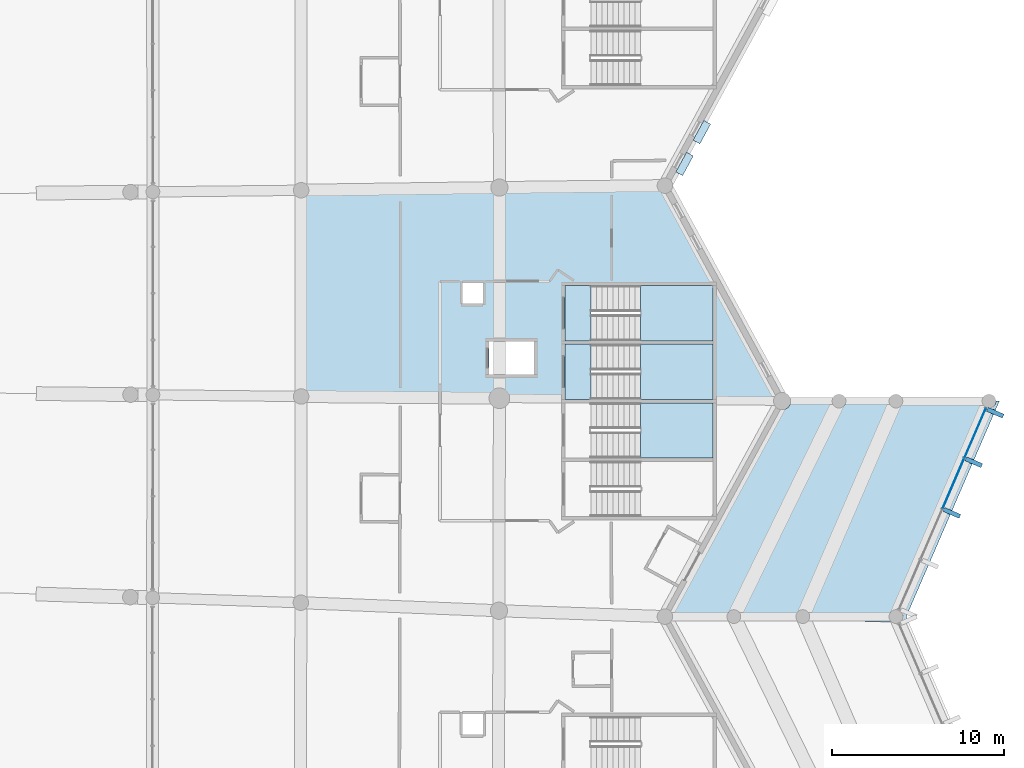
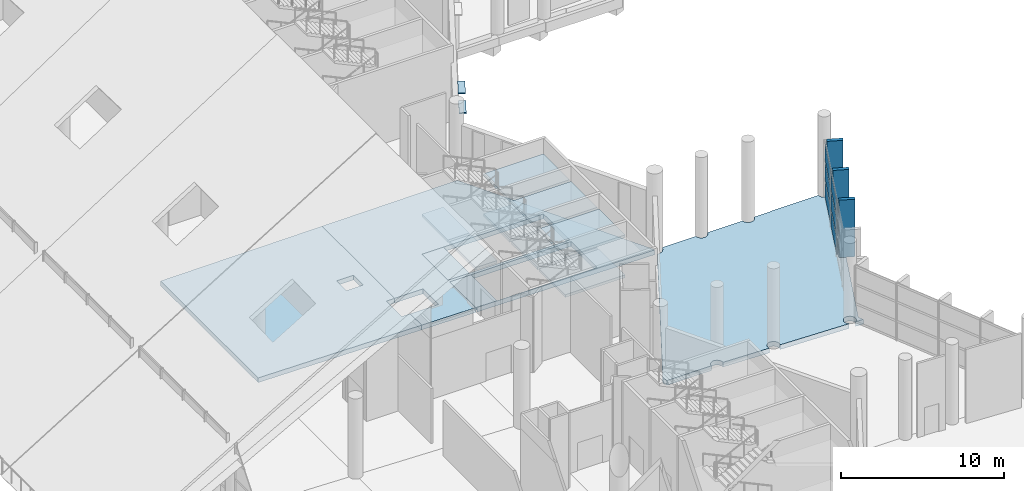
# One storey, part 116 of 249: 13 slabs, 11 plates, 4 elements without a shape of their own.
"""IFC4 building model written with IfcOpenShell, lengths in metres."""

from ifc_helpers import new_model, si_unit, direction, frame, origin, origin_2d, place, context, subcontext, project, spatial, polyline, rectangle, outline, extrude, material, layer, layer_set, type_object, element, aggregate, save


model = new_model("IFC4")

# Units and contexts
model_context = context("Model", 3, precision=1e-05, world=origin(), true_north=direction((0.0, 1.0)))
body_context = subcontext(model_context, "Body", "Model", "MODEL_VIEW")
ifc_project = project(units=[si_unit("LENGTHUNIT", "METRE"), si_unit("AREAUNIT", "SQUARE_METRE"), si_unit("VOLUMEUNIT", "CUBIC_METRE"), si_unit("PLANEANGLEUNIT", "RADIAN"), si_unit("MASSUNIT", "GRAM", prefix="KILO")], contexts=[model_context])

# Site, building, storey
site_placement = place(None, origin())
site = spatial("IfcSite", under=ifc_project, at=site_placement, CompositionType="ELEMENT")
building_placement = place(site_placement, origin())
building = spatial("IfcBuilding", under=site, at=building_placement, Name="Meseta Stadium", CompositionType="ELEMENT")
storey_placement = place(building_placement, frame((0.0, 0.0, 12.0)))
storey = spatial("IfcBuildingStorey", under=building, at=storey_placement, Name="L02", CompositionType="ELEMENT", Elevation=12.0)

# Slabs
ifc_material_1 = material(Name="Concrete C40/50", Category="concrete")
ifc_layer_1 = layer(ifc_material_1, 0.35009765625)
ifc_layer_set_1 = layer_set([ifc_layer_1], Name="Floor slab 350")
slab_type_1 = type_object("IfcSlabType", Name="Floor slab 350", PredefinedType="FLOOR", material=ifc_layer_set_1)
slab_1_placement = place(storey_placement, frame((0.0, 0.0, -0.35009765625)))
element("IfcSlab", 1, at=slab_1_placement, inside=storey, type_object=slab_type_1, Name="Floor slab L02 sector 00 panel 12", PredefinedType="FLOOR", context=body_context, shape_type="SweptSolid", body=[
    extrude(outline(polyline([(84.99755859375, -6.107421875), (84.99755859375, -4.699951171875), (84.39990234375, -4.699951171875), (84.39990234375, -2.800048828125), (84.997314453125, -2.800048828125), (84.9970703125, 6.107421875), (73.498046875, 5.981201171875), (73.498046875, -5.981201171875), (84.99755859375, -6.107421875)]), holes=[polyline([(82.85009765625, 0.60009765625), (84.050048828125, 0.60009765625), (84.050048828125, -0.60009765625), (82.85009765625, -0.60009765625), (82.85009765625, 0.60009765625)])]), origin(), (0.0, 0.0, 1.0), 0.35009765625),
])
slab_2_placement = place(storey_placement, frame((0.0, 0.0, -0.35009765625)))
element("IfcSlab", 2, at=slab_2_placement, inside=storey, type_object=slab_type_1, Name="Floor slab L02 sector 00 panel 21", PredefinedType="FLOOR", context=body_context, shape_type="SweptSolid", body=[
    extrude(outline(polyline([(88.8798828125, -6.14990234375), (101.3798828125, -6.287109375), (101.39990234375, -6.25), (94.6201171875, 6.212890625), (84.9970703125, 6.107421875), (84.997314453125, -2.800048828125), (87.0, -2.800048828125), (87.0, -4.699951171875), (84.99755859375, -4.699951171875), (84.99755859375, -6.107421875), (88.800048828125, -6.149169921875), (88.800048828125, -2.949951171875), (97.39990234375, -2.949951171875), (97.39990234375, -6.14990234375), (88.8798828125, -6.14990234375)]), holes=[polyline([(97.39990234375, -2.75), (88.800048828125, -2.75), (88.800048828125, 0.449951171875), (97.39990234375, 0.449951171875), (97.39990234375, -2.75)])]), origin(), (0.0, 0.0, 1.0), 0.35009765625),
])
slab_3_placement = place(storey_placement, frame((0.0, 0.0, -0.35009765625)))
element("IfcSlab", 3, at=slab_3_placement, inside=storey, type_object=slab_type_1, Name="Ring floor slab L02 8 part 2 panel 03", PredefinedType="FLOOR", context=body_context, shape_type="SweptSolid", body=[
    extrude(outline(polyline([(112.99658203125, -6.25), (109.60009765625, -6.25), (109.593994140625, -6.29150390625), (108.39794921875, -6.29150390625), (108.3896484375, -6.3544921875), (108.3857421875, -6.364013671875), (108.349365234375, -6.45166015625), (108.285400390625, -6.535400390625), (108.20166015625, -6.599365234375), (108.1044921875, -6.6396484375), (108.0, -6.653564453125), (107.8955078125, -6.6396484375), (107.79833984375, -6.599365234375), (107.714599609375, -6.535400390625), (107.650634765625, -6.45166015625), (107.610595703125, -6.35546875), (107.60205078125, -6.29150390625), (105.097900390625, -6.29150390625), (105.089599609375, -6.3544921875), (105.04931640625, -6.45166015625), (104.9853515625, -6.535400390625), (104.901611328125, -6.599365234375), (104.804443359375, -6.6396484375), (104.699951171875, -6.653564453125), (104.595703125, -6.6396484375), (104.498291015625, -6.599365234375), (104.414794921875, -6.535400390625), (104.3505859375, -6.45166015625), (104.310302734375, -6.3544921875), (104.302001953125, -6.29150390625), (101.898681640625, -6.29150390625), (101.88720703125, -6.380615234375), (101.836669921875, -6.502197265625), (101.756591796875, -6.606689453125), (101.652099609375, -6.686767578125), (101.530517578125, -6.737060546875), (101.39990234375, -6.75439453125), (101.30322265625, -6.74169921875), (94.935302734375, -18.44775390625), (94.9931640625, -18.523193359375), (95.038330078125, -18.632568359375), (95.053955078125, -18.75), (98.196533203125, -18.75), (98.210205078125, -18.6455078125), (98.25048828125, -18.54833984375), (98.314697265625, -18.464599609375), (98.398193359375, -18.400634765625), (98.49560546875, -18.3603515625), (98.60009765625, -18.346435546875), (98.704345703125, -18.3603515625), (98.8017578125, -18.400634765625), (98.88525390625, -18.464599609375), (98.949462890625, -18.54833984375), (98.98974609375, -18.6455078125), (99.00341796875, -18.75), (98.999267578125, -18.782958984375), (102.224609375, -18.888916015625), (102.210205078125, -18.8544921875), (102.196533203125, -18.75), (102.210205078125, -18.6455078125), (102.25048828125, -18.54833984375), (102.314697265625, -18.464599609375), (102.398193359375, -18.400634765625), (102.49560546875, -18.3603515625), (102.60009765625, -18.346435546875), (102.704345703125, -18.3603515625), (102.8017578125, -18.400634765625), (102.88525390625, -18.464599609375), (102.949462890625, -18.54833984375), (102.98974609375, -18.6455078125), (103.00341796875, -18.75), (102.98974609375, -18.8544921875), (102.96533203125, -18.913330078125), (107.761474609375, -19.071044921875), (107.714599609375, -19.035400390625), (107.650634765625, -18.95166015625), (107.6103515625, -18.8544921875), (107.596435546875, -18.75), (107.6103515625, -18.6455078125), (107.650634765625, -18.54833984375), (107.714599609375, -18.464599609375), (107.79833984375, -18.400634765625), (107.8955078125, -18.3603515625), (108.0, -18.346435546875), (108.1044921875, -18.3603515625), (108.20166015625, -18.400634765625), (108.285400390625, -18.464599609375), (108.349365234375, -18.54833984375), (108.3896484375, -18.6455078125), (108.403564453125, -18.75), (108.3896484375, -18.8544921875), (108.349365234375, -18.95166015625), (108.285400390625, -19.035400390625), (108.218994140625, -19.086181640625), (108.752685546875, -19.103759765625), (108.60009765625, -18.75), (114.0, -6.25), (113.803466796875, -6.25), (113.789794921875, -6.3544921875), (113.761474609375, -6.4228515625), (113.74951171875, -6.45166015625), (113.685302734375, -6.535400390625), (113.601806640625, -6.599365234375), (113.50439453125, -6.6396484375), (113.39990234375, -6.653564453125), (113.295654296875, -6.6396484375), (113.1982421875, -6.599365234375), (113.11474609375, -6.535400390625), (113.050537109375, -6.45166015625), (113.01025390625, -6.3544921875), (112.99658203125, -6.25)])), origin(), (0.0, 0.0, 1.0), 0.35009765625),
])

# Plates
ifc_material_2 = material(Name="White precast concrete C40/50", Category="concrete")
ifc_layer_2 = layer(ifc_material_2, 0.080078125)
ifc_layer_set_2 = layer_set([ifc_layer_2], Name="Louvre hood 1300x450")
plate_type_1 = type_object("IfcPlateType", Name="Louvre hood 1300x450", PredefinedType="USERDEFINED", material=ifc_layer_set_2)
for number, where, z_axis, x_axis, name in (
    (4, (95.73974609375, 7.50830078125, 4.25), (0.0, 0.0, 1.0), (0.477867090202, 0.878432151109, 0.0), "Louvre hood L02 F05"),
    (5, (96.743408203125, 9.35302734375, 4.25), (0.0, 0.0, 1.0), (0.477867090202, 0.878432151109, 0.0), "Louvre hood L02 F05"),
):
    element("IfcPlate", number, at=place(storey_placement, frame(where, z_axis=z_axis, x_axis=x_axis)), inside=storey, type_object=plate_type_1, Name=name, ObjectType="LOUVRE", PredefinedType="USERDEFINED", context=body_context, shape_type="SweptSolid", body=[
        extrude(rectangle(XDim=1.300048828125, YDim=0.449951171875, at=origin_2d()), origin(), (0.0, 0.0, 1.0), 0.080078125),
    ])

# Curtain wall, plates
ifc_material_3 = material(Name="Aluminium", Category="aluminium")
ifc_layer_3 = layer(ifc_material_3, 0.199951171875)
ifc_layer_set_3 = layer_set([ifc_layer_3], Name="Ring shopfront curtain wall")
curtain_wall_type = type_object("IfcCurtainWallType", Name="Ring shopfront curtain wall", PredefinedType="NOTDEFINED", material=ifc_layer_set_3)
curtain_wall_placement = place(storey_placement, origin())
curtain_wall = element("IfcCurtainWall", 6, at=curtain_wall_placement, inside=storey, type_object=curtain_wall_type, Name="Ring glazing L02 F03", PredefinedType="NOTDEFINED")
ifc_material_4 = material(Name="Glass", Category="glass")
ifc_layer_4 = layer(ifc_material_4, 0.035888671875)
ifc_layer_set_4 = layer_set([ifc_layer_4], Name="Ring CW glass panel 36")
plate_type_2 = type_object("IfcPlateType", Name="Ring CW glass panel 36", PredefinedType="CURTAIN_PANEL", material=ifc_layer_set_4)
plate_1_placement = place(storey_placement, frame((111.33544921875, -11.029296875, 0.14990234375), z_axis=(0.0, 0.0, 1.0), x_axis=(0.396580687073, 0.91799986854, 0.0)))
plate_1 = element("IfcPlate", 7, at=plate_1_placement, type_object=plate_type_2, Name="CWR1 panel 3.1", PredefinedType="CURTAIN_PANEL", context=body_context, shape_type="SweptSolid", body=[
    extrude(rectangle(XDim=3.14404296875, YDim=0.035888671875, at=origin_2d()), origin(), (0.0, 0.0, 1.0), 1.208251953125),
])
plate_2_placement = place(storey_placement, frame((111.33544921875, -11.029296875, 1.50830078125), z_axis=(0.0, 0.0, 1.0), x_axis=(0.396580687073, 0.91799986854, 0.0)))
plate_2 = element("IfcPlate", 8, at=plate_2_placement, type_object=plate_type_2, Name="CWR1 panel 3.2", PredefinedType="CURTAIN_PANEL", context=body_context, shape_type="SweptSolid", body=[
    extrude(rectangle(XDim=3.14404296875, YDim=0.035888671875, at=origin_2d()), origin(), (0.0, 0.0, 1.0), 1.283447265625),
])
plate_3_placement = place(storey_placement, frame((111.33544921875, -11.029296875, 2.94189453125), z_axis=(0.0, 0.0, 1.0), x_axis=(0.396580687073, 0.91799986854, 0.0)))
plate_3 = element("IfcPlate", 9, at=plate_3_placement, type_object=plate_type_2, Name="CWR1 panel 3.3", PredefinedType="CURTAIN_PANEL", context=body_context, shape_type="SweptSolid", body=[
    extrude(rectangle(XDim=3.14404296875, YDim=0.035888671875, at=origin_2d()), origin(), (0.0, 0.0, 1.0), 1.208251953125),
])
plate_4_placement = place(storey_placement, frame((112.60009765625, -8.1015625, 0.14990234375), z_axis=(0.0, 0.0, 1.0), x_axis=(0.396580687073, 0.91799986854, 0.0)))
plate_4 = element("IfcPlate", 10, at=plate_4_placement, type_object=plate_type_2, Name="CWR1 panel 4.1", PredefinedType="CURTAIN_PANEL", context=body_context, shape_type="SweptSolid", body=[
    extrude(rectangle(XDim=3.1142578125, YDim=0.035888671875, at=origin_2d()), origin(), (0.0, 0.0, 1.0), 1.208251953125),
])
plate_5_placement = place(storey_placement, frame((112.60009765625, -8.1015625, 1.50830078125), z_axis=(0.0, 0.0, 1.0), x_axis=(0.396580687073, 0.91799986854, 0.0)))
plate_5 = element("IfcPlate", 11, at=plate_5_placement, type_object=plate_type_2, Name="CWR1 panel 4.2", PredefinedType="CURTAIN_PANEL", context=body_context, shape_type="SweptSolid", body=[
    extrude(rectangle(XDim=3.1142578125, YDim=0.035888671875, at=origin_2d()), origin(), (0.0, 0.0, 1.0), 1.283447265625),
])
plate_6_placement = place(storey_placement, frame((112.60009765625, -8.1015625, 2.94189453125), z_axis=(0.0, 0.0, 1.0), x_axis=(0.396580687073, 0.91799986854, 0.0)))
plate_6 = element("IfcPlate", 12, at=plate_6_placement, type_object=plate_type_2, Name="CWR1 panel 4.3", PredefinedType="CURTAIN_PANEL", context=body_context, shape_type="SweptSolid", body=[
    extrude(rectangle(XDim=3.1142578125, YDim=0.035888671875, at=origin_2d()), origin(), (0.0, 0.0, 1.0), 1.208251953125),
])
aggregate(curtain_wall, [plate_1, plate_2, plate_3, plate_4, plate_5, plate_6])

# Plates
ifc_material_5 = material(Name="Precast concrete C40/50", Category="concrete")
ifc_layer_5 = layer(ifc_material_5, 0.25)
ifc_layer_set_5 = layer_set([ifc_layer_5], Name="Ring brise-soleil fin 250x1000")
plate_type_3 = type_object("IfcPlateType", Name="Ring brise-soleil fin 250x1000", PredefinedType="USERDEFINED", material=ifc_layer_set_5)
for number, where, z_axis, x_axis, name in (
    (13, (111.250732421875, -12.73779296875, 0.0), (0.0, 0.0, 1.0), (0.396575976693, 0.918001903435, 0.0), "Brise-soleil fin L02 F03.3"),
    (14, (112.521484375, -9.79638671875, 0.0), (0.0, 0.0, 1.0), (0.396575976693, 0.918001903435, 0.0), "Brise-soleil fin L02 F03.4"),
    (15, (113.762451171875, -6.924072265625, 0.0), (0.0, 0.0, 1.0), (0.396575976693, 0.918001903435, 0.0), "Brise-soleil fin L02 F03.5"),
):
    element("IfcPlate", number, at=place(storey_placement, frame(where, z_axis=z_axis, x_axis=x_axis)), inside=storey, type_object=plate_type_3, Name=name, ObjectType="FIN", PredefinedType="USERDEFINED", context=body_context, shape_type="SweptSolid", body=[
        extrude(rectangle(XDim=0.25, YDim=1.0, at=origin_2d()), origin(), (0.0, 0.0, 1.0), 4.300048828125),
    ])

# Stair, slabs
ifc_material_6 = material(Name="Concrete C40/50", Category="concrete")
stair_type = type_object("IfcStairType", Name="Exit stair 4 flights 150 mm risers", PredefinedType="HALF_TURN_STAIR", material=ifc_material_6)
stair_1_placement = place(storey_placement, origin())
stair_1 = element("IfcStair", 16, at=stair_1_placement, inside=storey, type_object=stair_type, Name="ST10 L02", PredefinedType="HALF_TURN_STAIR")
ifc_material_7 = material(Name="Concrete C40/50", Category="concrete")
ifc_layer_6 = layer(ifc_material_7, 0.199951171875)
ifc_layer_set_6 = layer_set([ifc_layer_6], Name="Stair landing 200")
slab_type_2 = type_object("IfcSlabType", Name="Stair landing 200", PredefinedType="LANDING", material=ifc_layer_set_6)
slab_4_placement = place(storey_placement, frame((0.0, 0.0, 1.300048828125)))
slab_4 = element("IfcSlab", 17, at=slab_4_placement, type_object=slab_type_2, Name="ST10 L02 landing 1", PredefinedType="LANDING", context=body_context, shape_type="SweptSolid", body=[
    extrude(outline(polyline([(93.169921875, -9.550048828125), (97.39990234375, -9.550048828125), (97.39990234375, -6.35009765625), (93.169921875, -6.35009765625), (93.169921875, -9.550048828125)])), origin(), (0.0, 0.0, 1.0), 0.199951171875),
])
slab_5_placement = place(storey_placement, frame((0.0, 0.0, 4.300048828125)))
slab_5 = element("IfcSlab", 18, at=slab_5_placement, type_object=slab_type_2, Name="ST10 L02 landing 3", PredefinedType="LANDING", context=body_context, shape_type="SweptSolid", body=[
    extrude(outline(polyline([(93.169921875, -9.550048828125), (97.39990234375, -9.550048828125), (97.39990234375, -6.35009765625), (93.169921875, -6.35009765625), (93.169921875, -9.550048828125)])), origin(), (0.0, 0.0, 1.0), 0.199951171875),
])
aggregate(stair_1, [slab_4, slab_5])

stair_2_placement = place(storey_placement, origin())
stair_2 = element("IfcStair", 19, at=stair_2_placement, inside=storey, type_object=stair_type, Name="ST11 L02", PredefinedType="HALF_TURN_STAIR")
slab_6_placement = place(storey_placement, frame((0.0, 0.0, 1.300048828125)))
slab_6 = element("IfcSlab", 20, at=slab_6_placement, type_object=slab_type_2, Name="ST11 L02 landing 1", PredefinedType="LANDING", context=body_context, shape_type="SweptSolid", body=[
    extrude(outline(polyline([(93.169921875, -6.14990234375), (97.39990234375, -6.14990234375), (97.39990234375, -2.949951171875), (93.169921875, -2.949951171875), (93.169921875, -6.14990234375)])), origin(), (0.0, 0.0, 1.0), 0.199951171875),
])
slab_7_placement = place(storey_placement, frame((0.0, 0.0, 2.800048828125)))
slab_7 = element("IfcSlab", 21, at=slab_7_placement, type_object=slab_type_2, Name="ST11 L02 landing 2", PredefinedType="LANDING", context=body_context, shape_type="SweptSolid", body=[
    extrude(outline(polyline([(88.800048828125, -6.14990234375), (90.31005859375, -6.14990234375), (90.31005859375, -2.949951171875), (88.800048828125, -2.949951171875), (88.800048828125, -6.14990234375)])), origin(), (0.0, 0.0, 1.0), 0.199951171875),
])
slab_8_placement = place(storey_placement, frame((0.0, 0.0, 4.300048828125)))
slab_8 = element("IfcSlab", 22, at=slab_8_placement, type_object=slab_type_2, Name="ST11 L02 landing 3", PredefinedType="LANDING", context=body_context, shape_type="SweptSolid", body=[
    extrude(outline(polyline([(93.169921875, -6.14990234375), (97.39990234375, -6.14990234375), (97.39990234375, -2.949951171875), (93.169921875, -2.949951171875), (93.169921875, -6.14990234375)])), origin(), (0.0, 0.0, 1.0), 0.199951171875),
])
slab_9_placement = place(storey_placement, frame((0.0, 0.0, -0.199951171875)))
slab_9 = element("IfcSlab", 23, at=slab_9_placement, type_object=slab_type_2, Name="ST11 L02 landing 4", PredefinedType="LANDING", context=body_context, shape_type="SweptSolid", body=[
    extrude(outline(polyline([(88.800048828125, -6.14990234375), (90.31005859375, -6.14990234375), (90.31005859375, -2.949951171875), (88.800048828125, -2.949951171875), (88.800048828125, -6.14990234375)])), origin(), (0.0, 0.0, 1.0), 0.199951171875),
])
aggregate(stair_2, [slab_6, slab_7, slab_8, slab_9])

stair_3_placement = place(storey_placement, origin())
stair_3 = element("IfcStair", 24, at=stair_3_placement, inside=storey, type_object=stair_type, Name="ST12 L02", PredefinedType="HALF_TURN_STAIR")
slab_10_placement = place(storey_placement, frame((0.0, 0.0, 1.300048828125)))
slab_10 = element("IfcSlab", 25, at=slab_10_placement, type_object=slab_type_2, Name="ST12 L02 landing 1", PredefinedType="LANDING", context=body_context, shape_type="SweptSolid", body=[
    extrude(outline(polyline([(93.169921875, -2.75), (97.39990234375, -2.75), (97.39990234375, 0.449951171875), (93.169921875, 0.449951171875), (93.169921875, -2.75)])), origin(), (0.0, 0.0, 1.0), 0.199951171875),
])
slab_11_placement = place(storey_placement, frame((0.0, 0.0, 2.800048828125)))
slab_11 = element("IfcSlab", 26, at=slab_11_placement, type_object=slab_type_2, Name="ST12 L02 landing 2", PredefinedType="LANDING", context=body_context, shape_type="SweptSolid", body=[
    extrude(outline(polyline([(88.800048828125, -2.75), (90.31005859375, -2.75), (90.31005859375, 0.449951171875), (88.800048828125, 0.449951171875), (88.800048828125, -2.75)])), origin(), (0.0, 0.0, 1.0), 0.199951171875),
])
slab_12_placement = place(storey_placement, frame((0.0, 0.0, 4.300048828125)))
slab_12 = element("IfcSlab", 27, at=slab_12_placement, type_object=slab_type_2, Name="ST12 L02 landing 3", PredefinedType="LANDING", context=body_context, shape_type="SweptSolid", body=[
    extrude(outline(polyline([(93.169921875, -2.75), (97.39990234375, -2.75), (97.39990234375, 0.449951171875), (93.169921875, 0.449951171875), (93.169921875, -2.75)])), origin(), (0.0, 0.0, 1.0), 0.199951171875),
])
slab_13_placement = place(storey_placement, frame((0.0, 0.0, -0.199951171875)))
slab_13 = element("IfcSlab", 28, at=slab_13_placement, type_object=slab_type_2, Name="ST12 L02 landing 4", PredefinedType="LANDING", context=body_context, shape_type="SweptSolid", body=[
    extrude(outline(polyline([(88.800048828125, -2.75), (90.31005859375, -2.75), (90.31005859375, 0.449951171875), (88.800048828125, 0.449951171875), (88.800048828125, -2.75)])), origin(), (0.0, 0.0, 1.0), 0.199951171875),
])
aggregate(stair_3, [slab_10, slab_11, slab_12, slab_13])

save(model, "model.ifc")
